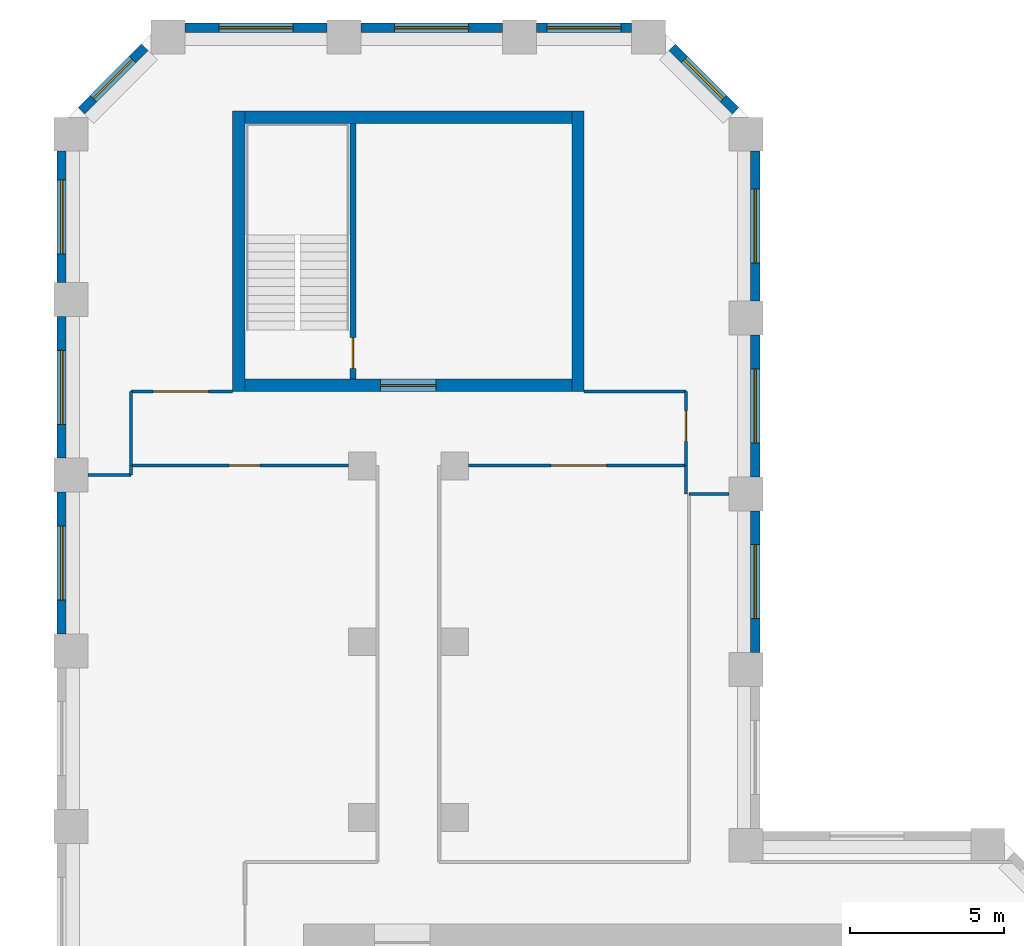
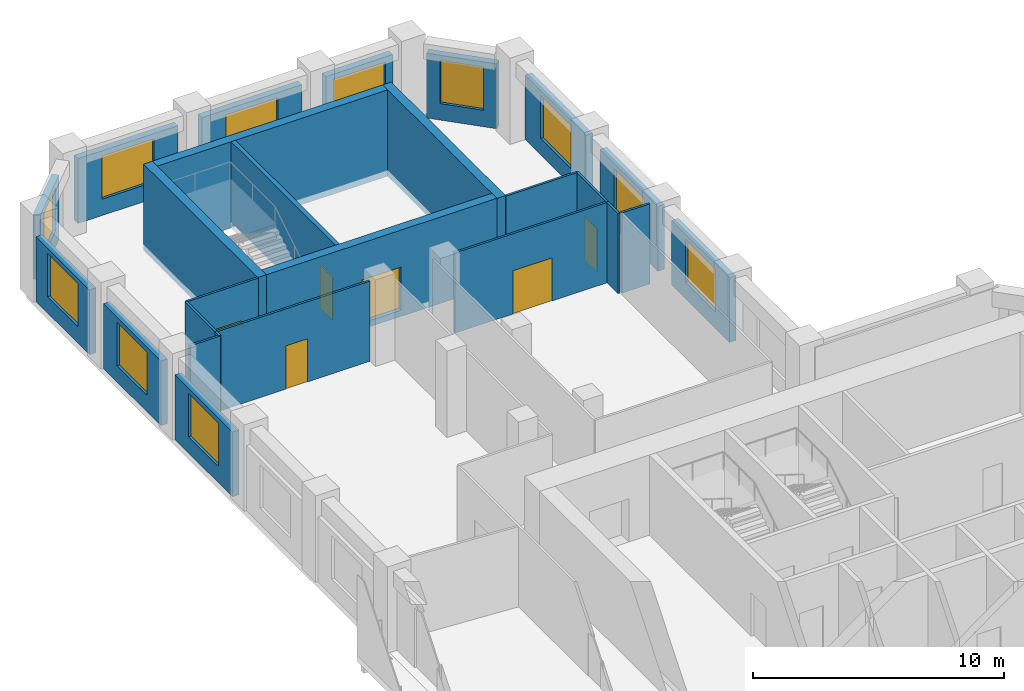
# One storey, part 8 of 10: 26 walls, 11 windows, 6 doors, 17 openings.
"""IFC4 building model written with IfcOpenShell, lengths in metres."""

from ifc_helpers import new_model, si_unit, direction, frame, frame_2d, origin, place, context, subcontext, project, spatial, rectangle, extrude, material, layer, layer_set, type_object, element, fill, save


model = new_model("IFC4")

# Units and contexts
model_context = context("Model", 3, precision=1e-05, world=origin(), true_north=direction((0.0, 1.0)))
body_context = subcontext(model_context, "Body", "Model", "MODEL_VIEW")
ifc_project = project(units=[si_unit("LENGTHUNIT", "METRE"), si_unit("AREAUNIT", "SQUARE_METRE"), si_unit("VOLUMEUNIT", "CUBIC_METRE"), si_unit("PLANEANGLEUNIT", "RADIAN"), si_unit("MASSUNIT", "GRAM", prefix="KILO")], contexts=[model_context])

# Site, building, storey
site_placement = place(None, origin())
site = spatial("IfcSite", under=ifc_project, at=site_placement, CompositionType="ELEMENT")
building_placement = place(site_placement, origin())
building = spatial("IfcBuilding", under=site, at=building_placement, Name="Meshkara Civic Tower", CompositionType="ELEMENT")
storey_placement = place(building_placement, frame((0.0, 0.0, 267.60009765625)))
storey = spatial("IfcBuildingStorey", under=building, at=storey_placement, Name="L61", CompositionType="ELEMENT", Elevation=267.60009765625)

# Wall, opening, door
ifc_material_1 = material(Name="Corridor wall 100")
ifc_layer_1 = layer(ifc_material_1, 0.10009765625)
ifc_layer_set_1 = layer_set([ifc_layer_1], Name="Corridor wall 100")
wall_type_1 = type_object("IfcWallType", Name="Corridor wall 100", PredefinedType="PARTITIONING", material=ifc_layer_set_1)
wall_1_placement = place(storey_placement, frame((2.39990234375, 51.77001953125, 0.0), z_axis=(0.0, 0.0, 1.0), x_axis=(1.0, 0.0, 0.0)))
wall_1 = element("IfcWall", 1, at=wall_1_placement, inside=storey, type_object=wall_type_1, Name="L61-W001", PredefinedType="PARTITIONING", context=body_context, shape_type="SweptSolid", body=[
    extrude(rectangle(XDim=7.050048828125, YDim=0.10009765625, at=frame_2d((3.52490234375, 0.0))), origin(), (0.0, 0.0, 1.0), 3.89990234375),
])
opening_1_placement = place(wall_1_placement, frame((3.179931640625, 0.0, 0.0)))
opening_1 = element("IfcOpeningElement", 2, at=opening_1_placement, cuts=wall_1, Name="Opening L61-D021", PredefinedType="OPENING", context=body_context, shape_type="SweptSolid", body=[
    extrude(rectangle(XDim=1.0, YDim=2.10009765625, at=frame_2d((0.5, 1.050048828125))), frame((0.0, 0.06005859375, 0.0), z_axis=(0.0, -1.0, 0.0), x_axis=(1.0, 0.0, 0.0)), (0.0, 0.0, 1.0), 0.1201171875),
])
ifc_material_2 = material(Name="Door 1000 x 2100")
door_type_1 = type_object("IfcDoorType", Name="Door 1000 x 2100", OperationType="SINGLE_SWING_LEFT", PredefinedType="DOOR", material=ifc_material_2)
door_1_placement = place(opening_1_placement, origin())
door_1 = element("IfcDoor", 3, at=door_1_placement, inside=storey, type_object=door_type_1, Name="L61-D021", OperationType="SINGLE_SWING_LEFT", OverallHeight=2.10009765625, OverallWidth=1.0, PredefinedType="DOOR", context=body_context, shape_type="SweptSolid", body=[
    extrude(rectangle(XDim=1.0, YDim=2.10009765625, at=frame_2d((0.5, 1.050048828125))), frame((0.0, 0.02490234375, 0.0), z_axis=(0.0, -1.0, 0.0), x_axis=(1.0, 0.0, 0.0)), (0.0, 0.0, 1.0), 0.050048828125),
])
fill(opening_1, door_1)

# Wall
wall_2_placement = place(storey_placement, frame((2.39990234375, 54.169921875, 0.0), z_axis=(0.0, 0.0, 1.0), x_axis=(0.0, -1.0, 0.0)))
element("IfcWall", 4, at=wall_2_placement, inside=storey, type_object=wall_type_1, Name="L61-W002", PredefinedType="PARTITIONING", context=body_context, shape_type="SweptSolid", body=[
    extrude(rectangle(XDim=2.39990234375, YDim=0.10009765625, at=frame_2d((1.199951171875, 0.0))), origin(), (0.0, 0.0, 1.0), 3.89990234375),
])

# Wall, opening, door
wall_3_placement = place(storey_placement, frame((5.699951171875, 54.169921875, 0.0), z_axis=(0.0, 0.0, 1.0), x_axis=(-1.0, 0.0, 0.0)))
wall_3 = element("IfcWall", 5, at=wall_3_placement, inside=storey, type_object=wall_type_1, Name="L61-W003", PredefinedType="PARTITIONING", context=body_context, shape_type="SweptSolid", body=[
    extrude(rectangle(XDim=3.300048828125, YDim=0.10009765625, at=frame_2d((1.64990234375, 0.0))), origin(), (0.0, 0.0, 1.0), 3.89990234375),
])
opening_2_placement = place(wall_3_placement, frame((0.780029296875, 0.0, 0.0)))
opening_2 = element("IfcOpeningElement", 6, at=opening_2_placement, cuts=wall_3, Name="Opening L61-D024", PredefinedType="OPENING", context=body_context, shape_type="SweptSolid", body=[
    extrude(rectangle(XDim=1.800048828125, YDim=2.10009765625, at=frame_2d((0.89990234375, 1.050048828125))), frame((0.0, 0.06005859375, 0.0), z_axis=(0.0, -1.0, 0.0), x_axis=(1.0, 0.0, 0.0)), (0.0, 0.0, 1.0), 0.1201171875),
])
ifc_material_3 = material(Name="Door pair 1800 x 2100")
door_type_2 = type_object("IfcDoorType", Name="Door pair 1800 x 2100", OperationType="SINGLE_SWING_LEFT", PredefinedType="DOOR", material=ifc_material_3)
door_2_placement = place(opening_2_placement, origin())
door_2 = element("IfcDoor", 7, at=door_2_placement, inside=storey, type_object=door_type_2, Name="L61-D024", OperationType="DOUBLE_DOOR_SINGLE_SWING", OverallHeight=2.10009765625, OverallWidth=1.800048828125, PredefinedType="DOOR", context=body_context, shape_type="SweptSolid", body=[
    extrude(rectangle(XDim=1.800048828125, YDim=2.10009765625, at=frame_2d((0.89990234375, 1.050048828125))), frame((0.0, 0.02490234375, 0.0), z_axis=(0.0, -1.0, 0.0), x_axis=(1.0, 0.0, 0.0)), (0.0, 0.0, 1.0), 0.050048828125),
])
fill(opening_2, door_2)

wall_4_placement = place(storey_placement, frame((13.35009765625, 51.77001953125, 0.0), z_axis=(0.0, 0.0, 1.0), x_axis=(1.0, 0.0, 0.0)))
wall_4 = element("IfcWall", 8, at=wall_4_placement, inside=storey, type_object=wall_type_1, Name="L61-W015", PredefinedType="PARTITIONING", context=body_context, shape_type="SweptSolid", body=[
    extrude(rectangle(XDim=7.0498046875, YDim=0.10009765625, at=frame_2d((3.52490234375, 0.0))), origin(), (0.0, 0.0, 1.0), 3.89990234375),
])
opening_3_placement = place(wall_4_placement, frame((2.679931640625, 0.0, 0.0)))
opening_3 = element("IfcOpeningElement", 9, at=opening_3_placement, cuts=wall_4, Name="Opening L61-D022", PredefinedType="OPENING", context=body_context, shape_type="SweptSolid", body=[
    extrude(rectangle(XDim=1.800048828125, YDim=2.10009765625, at=frame_2d((0.89990234375, 1.050048828125))), frame((0.0, 0.06005859375, 0.0), z_axis=(0.0, -1.0, 0.0), x_axis=(1.0, 0.0, 0.0)), (0.0, 0.0, 1.0), 0.1201171875),
])
door_3_placement = place(opening_3_placement, origin())
door_3 = element("IfcDoor", 10, at=door_3_placement, inside=storey, type_object=door_type_2, Name="L61-D022", OperationType="DOUBLE_DOOR_SINGLE_SWING", OverallHeight=2.10009765625, OverallWidth=1.800048828125, PredefinedType="DOOR", context=body_context, shape_type="SweptSolid", body=[
    extrude(rectangle(XDim=1.800048828125, YDim=2.10009765625, at=frame_2d((0.89990234375, 1.050048828125))), frame((0.0, 0.02490234375, 0.0), z_axis=(0.0, -1.0, 0.0), x_axis=(1.0, 0.0, 0.0)), (0.0, 0.0, 1.0), 0.050048828125),
])
fill(opening_3, door_3)

wall_5_placement = place(storey_placement, frame((20.39990234375, 51.77001953125, 0.0), z_axis=(0.0, 0.0, 1.0), x_axis=(0.0, 1.0, 0.0)))
wall_5 = element("IfcWall", 11, at=wall_5_placement, inside=storey, type_object=wall_type_1, Name="L61-W016", PredefinedType="PARTITIONING", context=body_context, shape_type="SweptSolid", body=[
    extrude(rectangle(XDim=2.39990234375, YDim=0.10009765625, at=frame_2d((1.199951171875, 0.0))), origin(), (0.0, 0.0, 1.0), 3.89990234375),
])
opening_4_placement = place(wall_5_placement, frame((0.780029296875, 0.0, 0.0)))
opening_4 = element("IfcOpeningElement", 12, at=opening_4_placement, cuts=wall_5, Name="Opening L61-D023", PredefinedType="OPENING", context=body_context, shape_type="SweptSolid", body=[
    extrude(rectangle(XDim=1.0, YDim=2.10009765625, at=frame_2d((0.5, 1.050048828125))), frame((0.0, 0.06005859375, 0.0), z_axis=(0.0, -1.0, 0.0), x_axis=(1.0, 0.0, 0.0)), (0.0, 0.0, 1.0), 0.1201171875),
])
door_4_placement = place(opening_4_placement, origin())
door_4 = element("IfcDoor", 13, at=door_4_placement, inside=storey, type_object=door_type_1, Name="L61-D023", OperationType="SINGLE_SWING_LEFT", OverallHeight=2.10009765625, OverallWidth=1.0, PredefinedType="DOOR", context=body_context, shape_type="SweptSolid", body=[
    extrude(rectangle(XDim=1.0, YDim=2.10009765625, at=frame_2d((0.5, 1.050048828125))), frame((0.0, 0.02490234375, 0.0), z_axis=(0.0, -1.0, 0.0), x_axis=(1.0, 0.0, 0.0)), (0.0, 0.0, 1.0), 0.050048828125),
])
fill(opening_4, door_4)

# Walls
wall_6_placement = place(storey_placement, frame((20.39990234375, 54.169921875, 0.0), z_axis=(0.0, 0.0, 1.0), x_axis=(-1.0, 0.0, 0.0)))
element("IfcWall", 14, at=wall_6_placement, inside=storey, type_object=wall_type_1, Name="L61-W017", PredefinedType="PARTITIONING", context=body_context, shape_type="SweptSolid", body=[
    extrude(rectangle(XDim=3.2998046875, YDim=0.10009765625, at=frame_2d((1.64990234375, 0.0))), origin(), (0.0, 0.0, 1.0), 3.89990234375),
])
wall_7_placement = place(storey_placement, frame((21.800048828125, 50.85009765625, 0.0), z_axis=(0.0, 0.0, 1.0), x_axis=(-1.0, 0.0, 0.0)))
element("IfcWall", 15, at=wall_7_placement, inside=storey, type_object=wall_type_1, Name="L61-W020", PredefinedType="PARTITIONING", context=body_context, shape_type="SweptSolid", body=[
    extrude(rectangle(XDim=1.300048828125, YDim=0.10009765625, at=frame_2d((0.64990234375, 0.0))), origin(), (0.0, 0.0, 1.0), 3.89990234375),
])

# Wall, opening, window
ifc_material_4 = material(Name="Insulated infill panel with bronze anodised aluminium cladding", Category="aluminium")
ifc_layer_2 = layer(ifc_material_4, 0.300048828125)
ifc_layer_set_2 = layer_set([ifc_layer_2], Name="EXTERNAL INFILL WALL 300")
wall_type_2 = type_object("IfcWallType", Name="EXTERNAL INFILL WALL 300", PredefinedType="SOLIDWALL", material=ifc_layer_set_2)
wall_8_placement = place(storey_placement, frame((22.64990234375, 45.699951171875, 0.0), z_axis=(0.0, 0.0, 1.0), x_axis=(0.0, 1.0, 0.0)))
wall_8 = element("IfcWall", 16, at=wall_8_placement, inside=storey, type_object=wall_type_2, Name="External wall", PredefinedType="SOLIDWALL", context=body_context, shape_type="SweptSolid", body=[
    extrude(rectangle(XDim=4.60009765625, YDim=0.300048828125, at=frame_2d((2.300048828125, 0.0))), origin(), (0.0, 0.0, 1.0), 3.14990234375),
])
opening_5_placement = place(wall_8_placement, frame((1.10009765625, 0.0, 0.800048828125)))
opening_5 = element("IfcOpeningElement", 17, at=opening_5_placement, cuts=wall_8, Name="Opening W7", PredefinedType="OPENING", context=body_context, shape_type="SweptSolid", body=[
    extrude(rectangle(XDim=2.39990234375, YDim=2.10009765625, at=frame_2d((1.199951171875, 1.050048828125))), frame((0.0, 0.159912109375, 0.0), z_axis=(0.0, -1.0, 0.0), x_axis=(1.0, 0.0, 0.0)), (0.0, 0.0, 1.0), 0.320068359375),
])
ifc_material_5 = material(Name="Tinted double glazing", Category="glass")
window_type_1 = type_object("IfcWindowType", Name="WINDOW 2400x2100", PartitioningType="DOUBLE_PANEL_VERTICAL", PredefinedType="WINDOW", material=ifc_material_5)
window_1_placement = place(opening_5_placement, origin())
window_1 = element("IfcWindow", 18, at=window_1_placement, inside=storey, type_object=window_type_1, Name="Window", OverallHeight=2.10009765625, OverallWidth=2.39990234375, PartitioningType="DOUBLE_PANEL_VERTICAL", PredefinedType="WINDOW", context=body_context, shape_type="SweptSolid", body=[
    extrude(rectangle(XDim=2.39990234375, YDim=2.10009765625, at=frame_2d((1.199951171875, 1.050048828125))), frame((0.0, 0.030029296875, 0.0), z_axis=(0.0, -1.0, 0.0), x_axis=(1.0, 0.0, 0.0)), (0.0, 0.0, 1.0), 0.06005859375),
])
fill(opening_5, window_1)

wall_9_placement = place(storey_placement, frame((22.64990234375, 51.39990234375, 0.0), z_axis=(0.0, 0.0, 1.0), x_axis=(0.0, 1.0, 0.0)))
wall_9 = element("IfcWall", 19, at=wall_9_placement, inside=storey, type_object=wall_type_2, Name="External wall", PredefinedType="SOLIDWALL", context=body_context, shape_type="SweptSolid", body=[
    extrude(rectangle(XDim=4.60009765625, YDim=0.300048828125, at=frame_2d((2.300048828125, 0.0))), origin(), (0.0, 0.0, 1.0), 3.14990234375),
])
opening_6_placement = place(wall_9_placement, frame((1.10009765625, 0.0, 0.800048828125)))
opening_6 = element("IfcOpeningElement", 20, at=opening_6_placement, cuts=wall_9, Name="Opening W7", PredefinedType="OPENING", context=body_context, shape_type="SweptSolid", body=[
    extrude(rectangle(XDim=2.39990234375, YDim=2.10009765625, at=frame_2d((1.199951171875, 1.050048828125))), frame((0.0, 0.159912109375, 0.0), z_axis=(0.0, -1.0, 0.0), x_axis=(1.0, 0.0, 0.0)), (0.0, 0.0, 1.0), 0.320068359375),
])
window_2_placement = place(opening_6_placement, origin())
window_2 = element("IfcWindow", 21, at=window_2_placement, inside=storey, type_object=window_type_1, Name="Window", OverallHeight=2.10009765625, OverallWidth=2.39990234375, PartitioningType="DOUBLE_PANEL_VERTICAL", PredefinedType="WINDOW", context=body_context, shape_type="SweptSolid", body=[
    extrude(rectangle(XDim=2.39990234375, YDim=2.10009765625, at=frame_2d((1.199951171875, 1.050048828125))), frame((0.0, 0.030029296875, 0.0), z_axis=(0.0, -1.0, 0.0), x_axis=(1.0, 0.0, 0.0)), (0.0, 0.0, 1.0), 0.06005859375),
])
fill(opening_6, window_2)

wall_10_placement = place(storey_placement, frame((22.64990234375, 57.10009765625, 0.0), z_axis=(0.0, 0.0, 1.0), x_axis=(0.0, 1.0, 0.0)))
wall_10 = element("IfcWall", 22, at=wall_10_placement, inside=storey, type_object=wall_type_2, Name="External wall", PredefinedType="SOLIDWALL", context=body_context, shape_type="SweptSolid", body=[
    extrude(rectangle(XDim=4.864013671875, YDim=0.300048828125, at=frame_2d((2.43212890625, 0.0))), origin(), (0.0, 0.0, 1.0), 3.14990234375),
])
opening_7_placement = place(wall_10_placement, frame((1.23193359375, 0.0, 0.800048828125)))
opening_7 = element("IfcOpeningElement", 23, at=opening_7_placement, cuts=wall_10, Name="Opening W7", PredefinedType="OPENING", context=body_context, shape_type="SweptSolid", body=[
    extrude(rectangle(XDim=2.39990234375, YDim=2.10009765625, at=frame_2d((1.199951171875, 1.050048828125))), frame((0.0, 0.159912109375, 0.0), z_axis=(0.0, -1.0, 0.0), x_axis=(1.0, 0.0, 0.0)), (0.0, 0.0, 1.0), 0.320068359375),
])
window_3_placement = place(opening_7_placement, origin())
window_3 = element("IfcWindow", 24, at=window_3_placement, inside=storey, type_object=window_type_1, Name="Window", OverallHeight=2.10009765625, OverallWidth=2.39990234375, PartitioningType="DOUBLE_PANEL_VERTICAL", PredefinedType="WINDOW", context=body_context, shape_type="SweptSolid", body=[
    extrude(rectangle(XDim=2.39990234375, YDim=2.10009765625, at=frame_2d((1.199951171875, 1.050048828125))), frame((0.0, 0.030029296875, 0.0), z_axis=(0.0, -1.0, 0.0), x_axis=(1.0, 0.0, 0.0)), (0.0, 0.0, 1.0), 0.06005859375),
])
fill(opening_7, window_3)

wall_11_placement = place(storey_placement, frame((22.011962890625, 63.27587890625, 0.0), z_axis=(0.0, 0.0, 1.0), x_axis=(-0.707064797706, 0.707148762175, 0.0)))
wall_11 = element("IfcWall", 25, at=wall_11_placement, inside=storey, type_object=wall_type_2, Name="External wall", PredefinedType="SOLIDWALL", context=body_context, shape_type="SweptSolid", body=[
    extrude(rectangle(XDim=2.90771484375, YDim=0.300048828125, at=frame_2d((1.453857421875, 0.0))), origin(), (0.0, 0.0, 1.0), 3.14990234375),
])
opening_8_placement = place(wall_11_placement, frame((0.553955078125, 0.0, 0.800048828125)))
opening_8 = element("IfcOpeningElement", 26, at=opening_8_placement, cuts=wall_11, Name="Opening W9", PredefinedType="OPENING", context=body_context, shape_type="SweptSolid", body=[
    extrude(rectangle(XDim=1.800048828125, YDim=2.10009765625, at=frame_2d((0.89990234375, 1.050048828125))), frame((0.0, 0.159912109375, 0.0), z_axis=(0.0, -1.0, 0.0), x_axis=(1.0, 0.0, 0.0)), (0.0, 0.0, 1.0), 0.320068359375),
])
ifc_material_6 = material(Name="Tinted double glazing", Category="glass")
window_type_2 = type_object("IfcWindowType", Name="WINDOW 1800x2100", PartitioningType="DOUBLE_PANEL_VERTICAL", PredefinedType="WINDOW", material=ifc_material_6)
window_4_placement = place(opening_8_placement, origin())
window_4 = element("IfcWindow", 27, at=window_4_placement, inside=storey, type_object=window_type_2, Name="Window", OverallHeight=2.10009765625, OverallWidth=1.800048828125, PartitioningType="DOUBLE_PANEL_VERTICAL", PredefinedType="WINDOW", context=body_context, shape_type="SweptSolid", body=[
    extrude(rectangle(XDim=1.800048828125, YDim=2.10009765625, at=frame_2d((0.89990234375, 1.050048828125))), frame((0.0, 0.030029296875, 0.0), z_axis=(0.0, -1.0, 0.0), x_axis=(1.0, 0.0, 0.0)), (0.0, 0.0, 1.0), 0.06005859375),
])
fill(opening_8, window_4)

wall_12_placement = place(storey_placement, frame((18.64404296875, 65.969970703125, 0.0), z_axis=(0.0, 0.0, 1.0), x_axis=(-1.0, 0.0, 0.0)))
wall_12 = element("IfcWall", 28, at=wall_12_placement, inside=storey, type_object=wall_type_2, Name="External wall", PredefinedType="SOLIDWALL", context=body_context, shape_type="SweptSolid", body=[
    extrude(rectangle(XDim=3.088134765625, YDim=0.300048828125, at=frame_2d((1.5439453125, 0.0))), origin(), (0.0, 0.0, 1.0), 3.14990234375),
])
opening_9_placement = place(wall_12_placement, frame((0.343994140625, 0.0, 0.800048828125)))
opening_9 = element("IfcOpeningElement", 29, at=opening_9_placement, cuts=wall_12, Name="Opening W7", PredefinedType="OPENING", context=body_context, shape_type="SweptSolid", body=[
    extrude(rectangle(XDim=2.39990234375, YDim=2.10009765625, at=frame_2d((1.199951171875, 1.050048828125))), frame((0.0, 0.159912109375, 0.0), z_axis=(0.0, -1.0, 0.0), x_axis=(1.0, 0.0, 0.0)), (0.0, 0.0, 1.0), 0.320068359375),
])
window_5_placement = place(opening_9_placement, origin())
window_5 = element("IfcWindow", 30, at=window_5_placement, inside=storey, type_object=window_type_1, Name="Window", OverallHeight=2.10009765625, OverallWidth=2.39990234375, PartitioningType="DOUBLE_PANEL_VERTICAL", PredefinedType="WINDOW", context=body_context, shape_type="SweptSolid", body=[
    extrude(rectangle(XDim=2.39990234375, YDim=2.10009765625, at=frame_2d((1.199951171875, 1.050048828125))), frame((0.0, 0.030029296875, 0.0), z_axis=(0.0, -1.0, 0.0), x_axis=(1.0, 0.0, 0.0)), (0.0, 0.0, 1.0), 0.06005859375),
])
fill(opening_9, window_5)

wall_13_placement = place(storey_placement, frame((14.4560546875, 65.969970703125, 0.0), z_axis=(0.0, 0.0, 1.0), x_axis=(-1.0, 0.0, 0.0)))
wall_13 = element("IfcWall", 31, at=wall_13_placement, inside=storey, type_object=wall_type_2, Name="External wall", PredefinedType="SOLIDWALL", context=body_context, shape_type="SweptSolid", body=[
    extrude(rectangle(XDim=4.60009765625, YDim=0.300048828125, at=frame_2d((2.300048828125, 0.0))), origin(), (0.0, 0.0, 1.0), 3.14990234375),
])
opening_10_placement = place(wall_13_placement, frame((1.10009765625, 0.0, 0.800048828125)))
opening_10 = element("IfcOpeningElement", 32, at=opening_10_placement, cuts=wall_13, Name="Opening W7", PredefinedType="OPENING", context=body_context, shape_type="SweptSolid", body=[
    extrude(rectangle(XDim=2.39990234375, YDim=2.10009765625, at=frame_2d((1.199951171875, 1.050048828125))), frame((0.0, 0.159912109375, 0.0), z_axis=(0.0, -1.0, 0.0), x_axis=(1.0, 0.0, 0.0)), (0.0, 0.0, 1.0), 0.320068359375),
])
window_6_placement = place(opening_10_placement, origin())
window_6 = element("IfcWindow", 33, at=window_6_placement, inside=storey, type_object=window_type_1, Name="Window", OverallHeight=2.10009765625, OverallWidth=2.39990234375, PartitioningType="DOUBLE_PANEL_VERTICAL", PredefinedType="WINDOW", context=body_context, shape_type="SweptSolid", body=[
    extrude(rectangle(XDim=2.39990234375, YDim=2.10009765625, at=frame_2d((1.199951171875, 1.050048828125))), frame((0.0, 0.030029296875, 0.0), z_axis=(0.0, -1.0, 0.0), x_axis=(1.0, 0.0, 0.0)), (0.0, 0.0, 1.0), 0.06005859375),
])
fill(opening_10, window_6)

wall_14_placement = place(storey_placement, frame((8.756103515625, 65.969970703125, 0.0), z_axis=(0.0, 0.0, 1.0), x_axis=(-1.0, 0.0, 0.0)))
wall_14 = element("IfcWall", 34, at=wall_14_placement, inside=storey, type_object=wall_type_2, Name="External wall", PredefinedType="SOLIDWALL", context=body_context, shape_type="SweptSolid", body=[
    extrude(rectangle(XDim=4.60009765625, YDim=0.300048828125, at=frame_2d((2.300048828125, 0.0))), origin(), (0.0, 0.0, 1.0), 3.14990234375),
])
opening_11_placement = place(wall_14_placement, frame((1.10009765625, 0.0, 0.800048828125)))
opening_11 = element("IfcOpeningElement", 35, at=opening_11_placement, cuts=wall_14, Name="Opening W7", PredefinedType="OPENING", context=body_context, shape_type="SweptSolid", body=[
    extrude(rectangle(XDim=2.39990234375, YDim=2.10009765625, at=frame_2d((1.199951171875, 1.050048828125))), frame((0.0, 0.159912109375, 0.0), z_axis=(0.0, -1.0, 0.0), x_axis=(1.0, 0.0, 0.0)), (0.0, 0.0, 1.0), 0.320068359375),
])
window_7_placement = place(opening_11_placement, origin())
window_7 = element("IfcWindow", 36, at=window_7_placement, inside=storey, type_object=window_type_1, Name="Window", OverallHeight=2.10009765625, OverallWidth=2.39990234375, PartitioningType="DOUBLE_PANEL_VERTICAL", PredefinedType="WINDOW", context=body_context, shape_type="SweptSolid", body=[
    extrude(rectangle(XDim=2.39990234375, YDim=2.10009765625, at=frame_2d((1.199951171875, 1.050048828125))), frame((0.0, 0.030029296875, 0.0), z_axis=(0.0, -1.0, 0.0), x_axis=(1.0, 0.0, 0.0)), (0.0, 0.0, 1.0), 0.06005859375),
])
fill(opening_11, window_7)

wall_15_placement = place(storey_placement, frame((2.843994140625, 65.33203125, 0.0), z_axis=(0.0, 0.0, 1.0), x_axis=(-0.707064797706, -0.707148762175, 0.0)))
wall_15 = element("IfcWall", 37, at=wall_15_placement, inside=storey, type_object=wall_type_2, Name="External wall", PredefinedType="SOLIDWALL", context=body_context, shape_type="SweptSolid", body=[
    extrude(rectangle(XDim=2.90771484375, YDim=0.300048828125, at=frame_2d((1.453857421875, 0.0))), origin(), (0.0, 0.0, 1.0), 3.14990234375),
])
opening_12_placement = place(wall_15_placement, frame((0.553955078125, 0.0, 0.800048828125)))
opening_12 = element("IfcOpeningElement", 38, at=opening_12_placement, cuts=wall_15, Name="Opening W9", PredefinedType="OPENING", context=body_context, shape_type="SweptSolid", body=[
    extrude(rectangle(XDim=1.800048828125, YDim=2.10009765625, at=frame_2d((0.89990234375, 1.050048828125))), frame((0.0, 0.159912109375, 0.0), z_axis=(0.0, -1.0, 0.0), x_axis=(1.0, 0.0, 0.0)), (0.0, 0.0, 1.0), 0.320068359375),
])
window_8_placement = place(opening_12_placement, origin())
window_8 = element("IfcWindow", 39, at=window_8_placement, inside=storey, type_object=window_type_2, Name="Window", OverallHeight=2.10009765625, OverallWidth=1.800048828125, PartitioningType="DOUBLE_PANEL_VERTICAL", PredefinedType="WINDOW", context=body_context, shape_type="SweptSolid", body=[
    extrude(rectangle(XDim=1.800048828125, YDim=2.10009765625, at=frame_2d((0.89990234375, 1.050048828125))), frame((0.0, 0.030029296875, 0.0), z_axis=(0.0, -1.0, 0.0), x_axis=(1.0, 0.0, 0.0)), (0.0, 0.0, 1.0), 0.06005859375),
])
fill(opening_12, window_8)

wall_16_placement = place(storey_placement, frame((0.14990234375, 61.964111328125, 0.0), z_axis=(0.0, 0.0, 1.0), x_axis=(0.0, -1.0, 0.0)))
wall_16 = element("IfcWall", 40, at=wall_16_placement, inside=storey, type_object=wall_type_2, Name="External wall", PredefinedType="SOLIDWALL", context=body_context, shape_type="SweptSolid", body=[
    extrude(rectangle(XDim=4.259033203125, YDim=0.300048828125, at=frame_2d((2.12939453125, 0.0))), origin(), (0.0, 0.0, 1.0), 3.14990234375),
])
opening_13_placement = place(wall_16_placement, frame((0.929931640625, 0.0, 0.800048828125)))
opening_13 = element("IfcOpeningElement", 41, at=opening_13_placement, cuts=wall_16, Name="Opening W7", PredefinedType="OPENING", context=body_context, shape_type="SweptSolid", body=[
    extrude(rectangle(XDim=2.39990234375, YDim=2.10009765625, at=frame_2d((1.199951171875, 1.050048828125))), frame((0.0, 0.159912109375, 0.0), z_axis=(0.0, -1.0, 0.0), x_axis=(1.0, 0.0, 0.0)), (0.0, 0.0, 1.0), 0.320068359375),
])
window_9_placement = place(opening_13_placement, origin())
window_9 = element("IfcWindow", 42, at=window_9_placement, inside=storey, type_object=window_type_1, Name="Window", OverallHeight=2.10009765625, OverallWidth=2.39990234375, PartitioningType="DOUBLE_PANEL_VERTICAL", PredefinedType="WINDOW", context=body_context, shape_type="SweptSolid", body=[
    extrude(rectangle(XDim=2.39990234375, YDim=2.10009765625, at=frame_2d((1.199951171875, 1.050048828125))), frame((0.0, 0.030029296875, 0.0), z_axis=(0.0, -1.0, 0.0), x_axis=(1.0, 0.0, 0.0)), (0.0, 0.0, 1.0), 0.06005859375),
])
fill(opening_13, window_9)

wall_17_placement = place(storey_placement, frame((0.14990234375, 56.60498046875, 0.0), z_axis=(0.0, 0.0, 1.0), x_axis=(0.0, -1.0, 0.0)))
wall_17 = element("IfcWall", 43, at=wall_17_placement, inside=storey, type_object=wall_type_2, Name="External wall", PredefinedType="SOLIDWALL", context=body_context, shape_type="SweptSolid", body=[
    extrude(rectangle(XDim=4.60009765625, YDim=0.300048828125, at=frame_2d((2.300048828125, 0.0))), origin(), (0.0, 0.0, 1.0), 3.14990234375),
])
opening_14_placement = place(wall_17_placement, frame((1.10009765625, 0.0, 0.800048828125)))
opening_14 = element("IfcOpeningElement", 44, at=opening_14_placement, cuts=wall_17, Name="Opening W7", PredefinedType="OPENING", context=body_context, shape_type="SweptSolid", body=[
    extrude(rectangle(XDim=2.39990234375, YDim=2.10009765625, at=frame_2d((1.199951171875, 1.050048828125))), frame((0.0, 0.159912109375, 0.0), z_axis=(0.0, -1.0, 0.0), x_axis=(1.0, 0.0, 0.0)), (0.0, 0.0, 1.0), 0.320068359375),
])
window_10_placement = place(opening_14_placement, origin())
window_10 = element("IfcWindow", 45, at=window_10_placement, inside=storey, type_object=window_type_1, Name="Window", OverallHeight=2.10009765625, OverallWidth=2.39990234375, PartitioningType="DOUBLE_PANEL_VERTICAL", PredefinedType="WINDOW", context=body_context, shape_type="SweptSolid", body=[
    extrude(rectangle(XDim=2.39990234375, YDim=2.10009765625, at=frame_2d((1.199951171875, 1.050048828125))), frame((0.0, 0.030029296875, 0.0), z_axis=(0.0, -1.0, 0.0), x_axis=(1.0, 0.0, 0.0)), (0.0, 0.0, 1.0), 0.06005859375),
])
fill(opening_14, window_10)

wall_18_placement = place(storey_placement, frame((0.14990234375, 50.905029296875, 0.0), z_axis=(0.0, 0.0, 1.0), x_axis=(0.0, -1.0, 0.0)))
wall_18 = element("IfcWall", 46, at=wall_18_placement, inside=storey, type_object=wall_type_2, Name="External wall", PredefinedType="SOLIDWALL", context=body_context, shape_type="SweptSolid", body=[
    extrude(rectangle(XDim=4.60009765625, YDim=0.300048828125, at=frame_2d((2.300048828125, 0.0))), origin(), (0.0, 0.0, 1.0), 3.14990234375),
])
opening_15_placement = place(wall_18_placement, frame((1.10009765625, 0.0, 0.800048828125)))
opening_15 = element("IfcOpeningElement", 47, at=opening_15_placement, cuts=wall_18, Name="Opening W7", PredefinedType="OPENING", context=body_context, shape_type="SweptSolid", body=[
    extrude(rectangle(XDim=2.39990234375, YDim=2.10009765625, at=frame_2d((1.199951171875, 1.050048828125))), frame((0.0, 0.159912109375, 0.0), z_axis=(0.0, -1.0, 0.0), x_axis=(1.0, 0.0, 0.0)), (0.0, 0.0, 1.0), 0.320068359375),
])
window_11_placement = place(opening_15_placement, origin())
window_11 = element("IfcWindow", 48, at=window_11_placement, inside=storey, type_object=window_type_1, Name="Window", OverallHeight=2.10009765625, OverallWidth=2.39990234375, PartitioningType="DOUBLE_PANEL_VERTICAL", PredefinedType="WINDOW", context=body_context, shape_type="SweptSolid", body=[
    extrude(rectangle(XDim=2.39990234375, YDim=2.10009765625, at=frame_2d((1.199951171875, 1.050048828125))), frame((0.0, 0.030029296875, 0.0), z_axis=(0.0, -1.0, 0.0), x_axis=(1.0, 0.0, 0.0)), (0.0, 0.0, 1.0), 0.06005859375),
])
fill(opening_15, window_11)

# Walls
ifc_material_7 = material(Name="Concrete C60", Category="concrete")
ifc_layer_3 = layer(ifc_material_7, 0.39990234375)
ifc_layer_set_3 = layer_set([ifc_layer_3], Name="End core ring wall 400 C60")
wall_type_3 = type_object("IfcWallType", Name="End core ring wall 400 C60", PredefinedType="SHEAR", material=ifc_layer_set_3)
for number, where, z_axis, x_axis, name in (
    (49, (5.89990234375, 54.169921875, -0.300048828125), (0.0, 0.0, 1.0), (0.0, 1.0, 0.0), "L61-C022"),
    (50, (16.89990234375, 54.169921875, -0.300048828125), (0.0, 0.0, 1.0), (0.0, 1.0, 0.0), "L61-C023"),
):
    element("IfcWall", number, at=place(storey_placement, frame(where, z_axis=z_axis, x_axis=x_axis)), inside=storey, type_object=wall_type_3, Name=name, PredefinedType="SHEAR", context=body_context, shape_type="SweptSolid", body=[
        extrude(rectangle(XDim=9.10009765625, YDim=0.39990234375, at=frame_2d((4.550048828125, 0.0))), origin(), (0.0, 0.0, 1.0), 4.199951171875),
    ])

# Wall, opening, door
wall_19_placement = place(storey_placement, frame((6.10009765625, 54.3701171875, -0.300048828125), z_axis=(0.0, 0.0, 1.0), x_axis=(1.0, 0.0, 0.0)))
wall_19 = element("IfcWall", 51, at=wall_19_placement, inside=storey, type_object=wall_type_3, Name="L61-C024", PredefinedType="SHEAR", context=body_context, shape_type="SweptSolid", body=[
    extrude(rectangle(XDim=10.599853515625, YDim=0.39990234375, at=frame_2d((5.2998046875, 0.0))), origin(), (0.0, 0.0, 1.0), 4.199951171875),
])
opening_16_placement = place(wall_19_placement, frame((4.39990234375, 0.0, 0.300048828125)))
opening_16 = element("IfcOpeningElement", 52, at=opening_16_placement, cuts=wall_19, Name="Opening L61-K102", PredefinedType="OPENING", context=body_context, shape_type="SweptSolid", body=[
    extrude(rectangle(XDim=1.800048828125, YDim=2.10009765625, at=frame_2d((0.89990234375, 1.050048828125))), frame((0.0, 0.2099609375, 0.0), z_axis=(0.0, -1.0, 0.0), x_axis=(1.0, 0.0, 0.0)), (0.0, 0.0, 1.0), 0.419921875),
])
ifc_material_8 = material(Name="Fire-rated door leaf in steel frame", Category="steel")
door_type_3 = type_object("IfcDoorType", Name="Core double door 1800 EI 60", OperationType="DOUBLE_DOOR_SINGLE_SWING", PredefinedType="DOOR", material=ifc_material_8)
door_5_placement = place(opening_16_placement, origin())
door_5 = element("IfcDoor", 53, at=door_5_placement, inside=storey, type_object=door_type_3, Name="L61-K102", OperationType="DOUBLE_DOOR_SINGLE_SWING", OverallHeight=2.10009765625, OverallWidth=1.800048828125, PredefinedType="DOOR", context=body_context, shape_type="SweptSolid", body=[
    extrude(rectangle(XDim=1.800048828125, YDim=2.10009765625, at=frame_2d((0.89990234375, 1.050048828125))), frame((0.0, 0.02490234375, 0.0), z_axis=(0.0, -1.0, 0.0), x_axis=(1.0, 0.0, 0.0)), (0.0, 0.0, 1.0), 0.050048828125),
])
fill(opening_16, door_5)

# Walls
wall_20_placement = place(storey_placement, frame((6.10009765625, 63.070068359375, -0.300048828125), z_axis=(0.0, 0.0, 1.0), x_axis=(1.0, 0.0, 0.0)))
element("IfcWall", 54, at=wall_20_placement, inside=storey, type_object=wall_type_3, Name="L61-C025", PredefinedType="SHEAR", context=body_context, shape_type="SweptSolid", body=[
    extrude(rectangle(XDim=10.599853515625, YDim=0.39990234375, at=frame_2d((5.2998046875, 0.0))), origin(), (0.0, 0.0, 1.0), 4.199951171875),
])
ifc_material_9 = material(Name="Partition 100")
ifc_layer_4 = layer(ifc_material_9, 0.10009765625)
ifc_layer_set_4 = layer_set([ifc_layer_4], Name="Partition 100")
wall_type_4 = type_object("IfcWallType", Name="Partition 100", PredefinedType="PARTITIONING", material=ifc_layer_set_4)
wall_21_placement = place(storey_placement, frame((2.39990234375, 51.455078125, 0.0), z_axis=(0.0, 0.0, 1.0), x_axis=(-1.0, 0.0, 0.0)))
element("IfcWall", 55, at=wall_21_placement, inside=storey, type_object=wall_type_4, Name="L61-W034", PredefinedType="PARTITIONING", context=body_context, shape_type="SweptSolid", body=[
    extrude(rectangle(XDim=1.39990234375, YDim=0.10009765625, at=frame_2d((0.699951171875, 0.0))), origin(), (0.0, 0.0, 1.0), 3.89990234375),
])
wall_22_placement = place(storey_placement, frame((2.39990234375, 51.77392578125, 0.0), z_axis=(0.0, 0.0, 1.0), x_axis=(0.0, -1.0, 0.0)))
element("IfcWall", 56, at=wall_22_placement, inside=storey, type_object=wall_type_4, Name="L61-W035", PredefinedType="PARTITIONING", context=body_context, shape_type="SweptSolid", body=[
    extrude(rectangle(XDim=0.31884765625, YDim=0.10009765625, at=frame_2d((0.159423828125, 0.0))), origin(), (0.0, 0.0, 1.0), 3.89990234375),
])
wall_23_placement = place(storey_placement, frame((20.39990234375, 50.85009765625, 0.0), z_axis=(0.0, 0.0, 1.0), x_axis=(0.0, 1.0, 0.0)))
element("IfcWall", 57, at=wall_23_placement, inside=storey, type_object=wall_type_4, Name="L61-W044", PredefinedType="PARTITIONING", context=body_context, shape_type="SweptSolid", body=[
    extrude(rectangle(XDim=0.923828125, YDim=0.10009765625, at=frame_2d((0.4619140625, 0.0))), origin(), (0.0, 0.0, 1.0), 3.89990234375),
])

# Wall, opening, door
ifc_material_10 = material(Name="Concrete C40/50", Category="concrete")
ifc_layer_5 = layer(ifc_material_10, 0.199951171875)
ifc_layer_set_5 = layer_set([ifc_layer_5], Name="Stair enclosure wall 200 C40/50")
wall_type_5 = type_object("IfcWallType", Name="Stair enclosure wall 200 C40/50", PredefinedType="SOLIDWALL", material=ifc_layer_set_5)
wall_24_placement = place(storey_placement, frame((9.60009765625, 54.570068359375, 0.0), z_axis=(0.0, 0.0, 1.0), x_axis=(0.0, 1.0, 0.0)))
wall_24 = element("IfcWall", 58, at=wall_24_placement, inside=storey, type_object=wall_type_5, Name="L61-C026", PredefinedType="SOLIDWALL", context=body_context, shape_type="SweptSolid", body=[
    extrude(rectangle(XDim=8.300048828125, YDim=0.199951171875, at=frame_2d((4.14990234375, 0.0))), origin(), (0.0, 0.0, 1.0), 3.89990234375),
])
opening_17_placement = place(wall_24_placement, frame((0.35009765625, 0.0, 0.0)))
opening_17 = element("IfcOpeningElement", 59, at=opening_17_placement, cuts=wall_24, Name="Opening L61-K101", PredefinedType="OPENING", context=body_context, shape_type="SweptSolid", body=[
    extrude(rectangle(XDim=1.0, YDim=2.10009765625, at=frame_2d((0.5, 1.050048828125))), frame((0.0, 0.10986328125, 0.0), z_axis=(0.0, -1.0, 0.0), x_axis=(1.0, 0.0, 0.0)), (0.0, 0.0, 1.0), 0.219970703125),
])
ifc_material_11 = material(Name="Fire-rated door leaf in steel frame", Category="steel")
door_type_4 = type_object("IfcDoorType", Name="Stair door 1000 EI 120", OperationType="SINGLE_SWING_LEFT", PredefinedType="DOOR", material=ifc_material_11)
door_6_placement = place(opening_17_placement, origin())
door_6 = element("IfcDoor", 60, at=door_6_placement, inside=storey, type_object=door_type_4, Name="L61-K101", OperationType="SINGLE_SWING_RIGHT", OverallHeight=2.10009765625, OverallWidth=1.0, PredefinedType="DOOR", context=body_context, shape_type="SweptSolid", body=[
    extrude(rectangle(XDim=1.0, YDim=2.10009765625, at=frame_2d((0.5, 1.050048828125))), frame((0.0, 0.02490234375, 0.0), z_axis=(0.0, -1.0, 0.0), x_axis=(1.0, 0.0, 0.0)), (0.0, 0.0, 1.0), 0.050048828125),
])
fill(opening_17, door_6)

save(model, "model.ifc")
